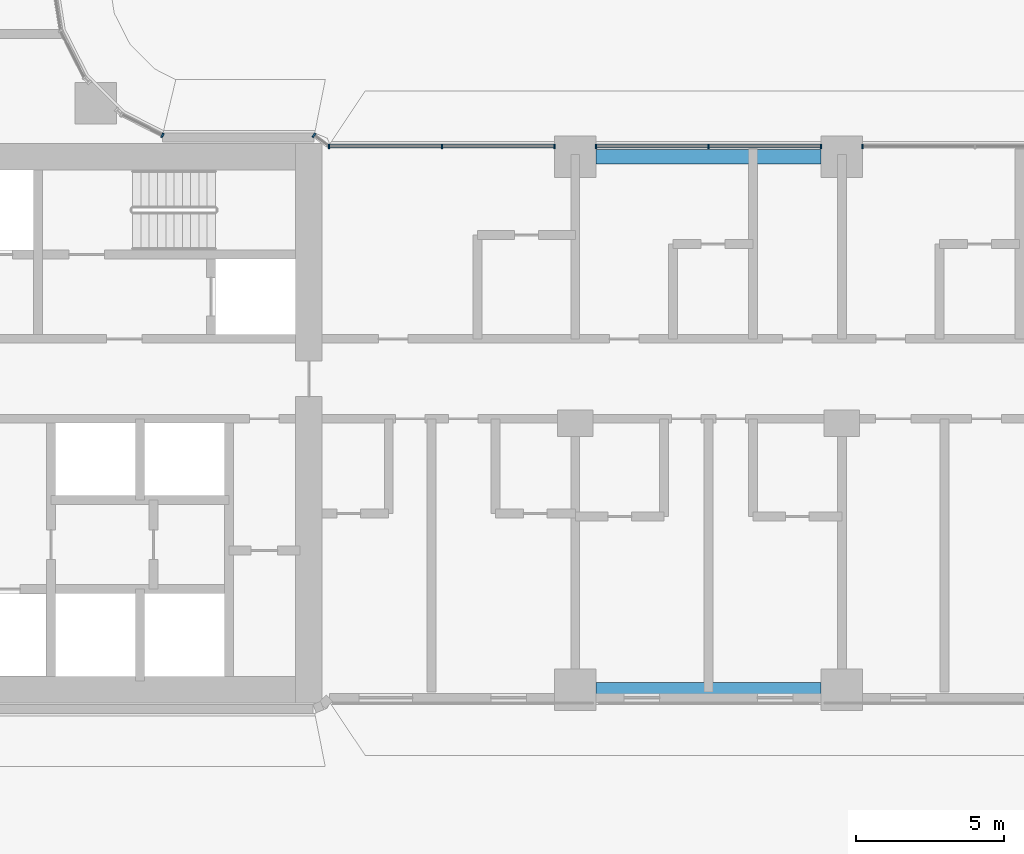
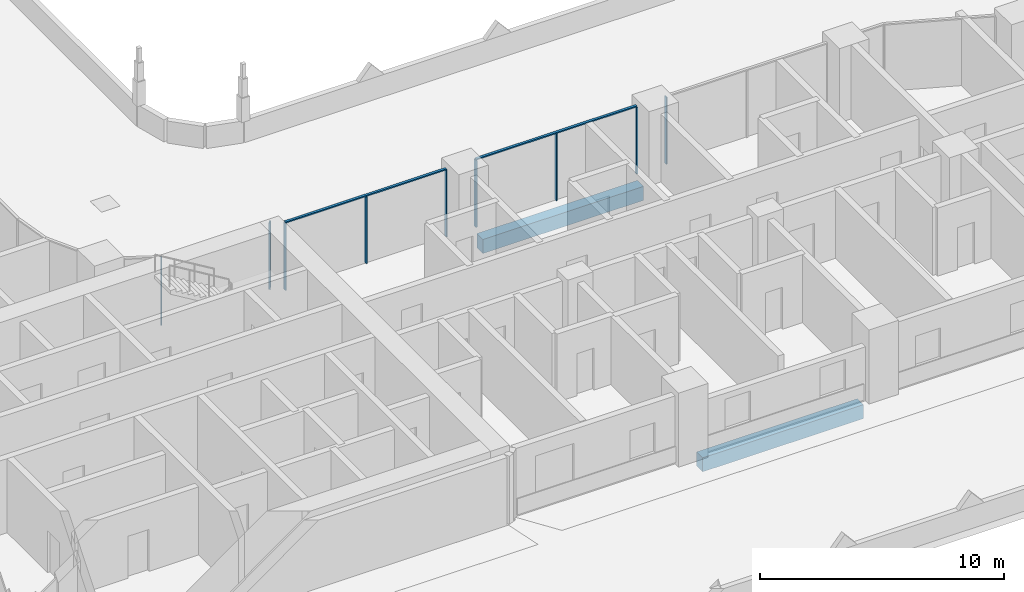
# One storey, part 3 of 51: 11 members, 2 beams, 5 elements without a shape of their own.
"""IFC4 building model written with IfcOpenShell, lengths in metres."""

from ifc_helpers import new_model, si_unit, direction, frame, origin, origin_2d, place, context, subcontext, project, spatial, rectangle, extrude, material, material_profile, profile_set, type_object, element, aggregate, save


model = new_model("IFC4")

# Units and contexts
model_context = context("Model", 3, precision=1e-05, world=origin(), true_north=direction((0.0, 1.0)))
body_context = subcontext(model_context, "Body", "Model", "MODEL_VIEW")
ifc_project = project(units=[si_unit("LENGTHUNIT", "METRE"), si_unit("AREAUNIT", "SQUARE_METRE"), si_unit("VOLUMEUNIT", "CUBIC_METRE"), si_unit("PLANEANGLEUNIT", "RADIAN"), si_unit("MASSUNIT", "GRAM", prefix="KILO")], contexts=[model_context])

# Site, building, storey
site_placement = place(None, origin())
site = spatial("IfcSite", under=ifc_project, at=site_placement, CompositionType="ELEMENT")
building_placement = place(site_placement, origin())
building = spatial("IfcBuilding", under=site, at=building_placement, Name="Ogive Portal Towers", CompositionType="ELEMENT")
storey_placement = place(building_placement, frame((0.0, 0.0, 33.5)))
storey = spatial("IfcBuildingStorey", under=building, at=storey_placement, Name="L06", CompositionType="ELEMENT", Elevation=33.5)

# Curtain wall, member
ifc_material_1 = material(Name="Glass, clear low-iron insulated glazing", Category="glass")
curtain_wall_type = type_object("IfcCurtainWallType", Name="CW FRONT RIBBON 4500", PredefinedType="NOTDEFINED", material=ifc_material_1)
curtain_wall_1_placement = place(storey_placement, origin())
curtain_wall_1 = element("IfcCurtainWall", 1, at=curtain_wall_1_placement, inside=storey, type_object=curtain_wall_type, Name="A:L06:f27:cw0~1", PredefinedType="NOTDEFINED")
ifc_material_2 = material(Name="Aluminium 6063 anodised", Category="aluminium")
ifc_material_profile_1 = material_profile(ifc_material_2, rectangle(XDim=0.159912109375, YDim=0.06005859375, at=origin_2d()), Name="AL 60x160")
ifc_profile_set_1 = profile_set([ifc_material_profile_1], Name="Aluminium 6063 anodised")
member_type_1 = type_object("IfcMemberType", Name="CW MULLION 60x160", PredefinedType="MULLION", material=ifc_profile_set_1)
member_1_placement = place(storey_placement, frame((77.199951171875, 39.844970703125, 0.0), z_axis=(0.0, 0.0, 1.0), x_axis=(0.0, -1.0, 0.0)))
member_1 = element("IfcMember", 2, at=member_1_placement, type_object=member_type_1, Name="mullion", PredefinedType="MULLION", context=body_context, shape_type="SweptSolid", body=[
    extrude(rectangle(XDim=0.159912109375, YDim=0.06005859375, at=origin_2d()), origin(), (0.0, 0.0, 1.0), 3.340087890625),
])
aggregate(curtain_wall_1, [member_1])

# Curtain wall, members
curtain_wall_2_placement = place(storey_placement, origin())
curtain_wall_2 = element("IfcCurtainWall", 3, at=curtain_wall_2_placement, inside=storey, type_object=curtain_wall_type, Name="A:L06:f27:cw0~2", PredefinedType="NOTDEFINED")
member_2_placement = place(storey_placement, frame((75.800048828125, 39.844970703125, 0.0), z_axis=(0.0, 0.0, 1.0), x_axis=(0.0, -1.0, 0.0)))
member_2 = element("IfcMember", 4, at=member_2_placement, type_object=member_type_1, Name="mullion", PredefinedType="MULLION", context=body_context, shape_type="SweptSolid", body=[
    extrude(rectangle(XDim=0.159912109375, YDim=0.06005859375, at=origin_2d()), origin(), (0.0, 0.0, 1.0), 3.340087890625),
])
member_3_placement = place(storey_placement, frame((72.0, 39.844970703125, 0.0), z_axis=(0.0, 0.0, 1.0), x_axis=(0.0, -1.0, 0.0)))
member_3 = element("IfcMember", 5, at=member_3_placement, type_object=member_type_1, Name="mullion", PredefinedType="MULLION", context=body_context, shape_type="SweptSolid", body=[
    extrude(rectangle(XDim=0.159912109375, YDim=0.06005859375, at=origin_2d()), origin(), (0.0, 0.0, 1.0), 3.340087890625),
])
member_4_placement = place(storey_placement, frame((68.199951171875, 39.844970703125, 0.0), z_axis=(0.0, 0.0, 1.0), x_axis=(0.0, -1.0, 0.0)))
member_4 = element("IfcMember", 6, at=member_4_placement, type_object=member_type_1, Name="mullion", PredefinedType="MULLION", context=body_context, shape_type="SweptSolid", body=[
    extrude(rectangle(XDim=0.159912109375, YDim=0.06005859375, at=origin_2d()), origin(), (0.0, 0.0, 1.0), 3.340087890625),
])

curtain_wall_3_placement = place(storey_placement, origin())
curtain_wall_3 = element("IfcCurtainWall", 7, at=curtain_wall_3_placement, inside=storey, type_object=curtain_wall_type, Name="A:L06:f27:cw0~3", PredefinedType="NOTDEFINED")
member_5_placement = place(storey_placement, frame((66.800048828125, 39.844970703125, 0.0), z_axis=(0.0, 0.0, 1.0), x_axis=(0.0, -1.0, 0.0)))
member_5 = element("IfcMember", 8, at=member_5_placement, type_object=member_type_1, Name="mullion", PredefinedType="MULLION", context=body_context, shape_type="SweptSolid", body=[
    extrude(rectangle(XDim=0.159912109375, YDim=0.06005859375, at=origin_2d()), origin(), (0.0, 0.0, 1.0), 3.340087890625),
])
member_6_placement = place(storey_placement, frame((63.0, 39.844970703125, 0.0), z_axis=(0.0, 0.0, 1.0), x_axis=(0.0, -1.0, 0.0)))
member_6 = element("IfcMember", 9, at=member_6_placement, type_object=member_type_1, Name="mullion", PredefinedType="MULLION", context=body_context, shape_type="SweptSolid", body=[
    extrude(rectangle(XDim=0.159912109375, YDim=0.06005859375, at=origin_2d()), origin(), (0.0, 0.0, 1.0), 3.340087890625),
])
member_7_placement = place(storey_placement, frame((59.180419921875, 39.844970703125, 0.0), z_axis=(0.0, 0.0, 1.0), x_axis=(0.0, -1.0, 0.0)))
member_7 = element("IfcMember", 10, at=member_7_placement, type_object=member_type_1, Name="mullion", PredefinedType="MULLION", context=body_context, shape_type="SweptSolid", body=[
    extrude(rectangle(XDim=0.159912109375, YDim=0.06005859375, at=origin_2d()), origin(), (0.0, 0.0, 1.0), 3.340087890625),
])

# Curtain wall, member
curtain_wall_4_placement = place(storey_placement, origin())
curtain_wall_4 = element("IfcCurtainWall", 11, at=curtain_wall_4_placement, inside=storey, type_object=curtain_wall_type, Name="A:L06:f00:cwa", PredefinedType="NOTDEFINED")
member_8_placement = place(storey_placement, frame((58.673583984375, 40.219970703125, 0.0), z_axis=(0.0, 0.0, 1.0), x_axis=(-0.594808729844, -0.803867261991, 0.0)))
member_8 = element("IfcMember", 12, at=member_8_placement, type_object=member_type_1, Name="mullion", PredefinedType="MULLION", context=body_context, shape_type="SweptSolid", body=[
    extrude(rectangle(XDim=0.159912109375, YDim=0.06005859375, at=origin_2d()), origin(), (0.0, 0.0, 1.0), 3.340087890625),
])
aggregate(curtain_wall_4, [member_8])

curtain_wall_5_placement = place(storey_placement, origin())
curtain_wall_5 = element("IfcCurtainWall", 13, at=curtain_wall_5_placement, inside=storey, type_object=curtain_wall_type, Name="A:L06:f02:cwa~0", PredefinedType="NOTDEFINED")
member_9_placement = place(storey_placement, frame((53.5576171875, 40.219970703125, 0.0), z_axis=(0.0, 0.0, 1.0), x_axis=(-0.45399049974, -0.891006524188, 0.0)))
member_9 = element("IfcMember", 14, at=member_9_placement, type_object=member_type_1, Name="mullion", PredefinedType="MULLION", context=body_context, shape_type="SweptSolid", body=[
    extrude(rectangle(XDim=0.159912109375, YDim=0.06005859375, at=origin_2d()), origin(), (0.0, 0.0, 1.0), 3.340087890625),
])
aggregate(curtain_wall_5, [member_9])

# Member
ifc_material_profile_2 = material_profile(ifc_material_2, rectangle(XDim=0.1201171875, YDim=0.06005859375, at=origin_2d()), Name="AL 120x60")
ifc_profile_set_2 = profile_set([ifc_material_profile_2], Name="Aluminium 6063 anodised")
member_type_2 = type_object("IfcMemberType", Name="CW TRANSOM 60x120", PredefinedType="USERDEFINED", material=ifc_profile_set_2)
member_10_placement = place(storey_placement, frame((75.800048828125, 39.844970703125, 3.3701171875), z_axis=(-1.0, 0.0, 0.0), x_axis=(0.0, -1.0, 0.0)))
member_10 = element("IfcMember", 15, at=member_10_placement, type_object=member_type_2, Name="transom", ObjectType="TRANSOM", PredefinedType="USERDEFINED", context=body_context, shape_type="SweptSolid", body=[
    extrude(rectangle(XDim=0.1201171875, YDim=0.06005859375, at=origin_2d()), origin(), (0.0, 0.0, 1.0), 7.60009765625),
])

aggregate(curtain_wall_2, [member_10, member_2, member_3, member_4])

member_11_placement = place(storey_placement, frame((66.800048828125, 39.844970703125, 3.3701171875), z_axis=(-1.0, 0.0, 0.0), x_axis=(0.0, -1.0, 0.0)))
member_11 = element("IfcMember", 16, at=member_11_placement, type_object=member_type_2, Name="transom", ObjectType="TRANSOM", PredefinedType="USERDEFINED", context=body_context, shape_type="SweptSolid", body=[
    extrude(rectangle(XDim=0.1201171875, YDim=0.06005859375, at=origin_2d()), origin(), (0.0, 0.0, 1.0), 7.61962890625),
])

aggregate(curtain_wall_3, [member_11, member_5, member_6, member_7])

# Beams
ifc_material_3 = material(Name="Concrete C40/50", Category="concrete")
ifc_material_profile_3 = material_profile(ifc_material_3, rectangle(XDim=0.5, YDim=0.699951171875, at=origin_2d()), Name="RC 500x700")
ifc_profile_set_3 = profile_set([ifc_material_profile_3], Name="Concrete C40/50")
beam_type = type_object("IfcBeamType", Name="SPANDREL BEAM RC 500x700", PredefinedType="BEAM", material=ifc_profile_set_3)
for number, where, z_axis, x_axis, name in (
    (17, (75.800048828125, 21.5, -0.64990234375), (-1.0, 0.0, 0.0), (0.0, -1.0, 0.0), "Spandrel beam L06"),
    (18, (68.199951171875, 39.5, -0.64990234375), (1.0, 0.0, 0.0), (0.0, 1.0, 0.0), "Spandrel beam L06"),
):
    element("IfcBeam", number, at=place(storey_placement, frame(where, z_axis=z_axis, x_axis=x_axis)), inside=storey, type_object=beam_type, Name=name, PredefinedType="BEAM", context=body_context, shape_type="SweptSolid", body=[
        extrude(rectangle(XDim=0.5, YDim=0.699951171875, at=origin_2d()), origin(), (0.0, 0.0, 1.0), 7.60009765625),
    ])

save(model, "model.ifc")
